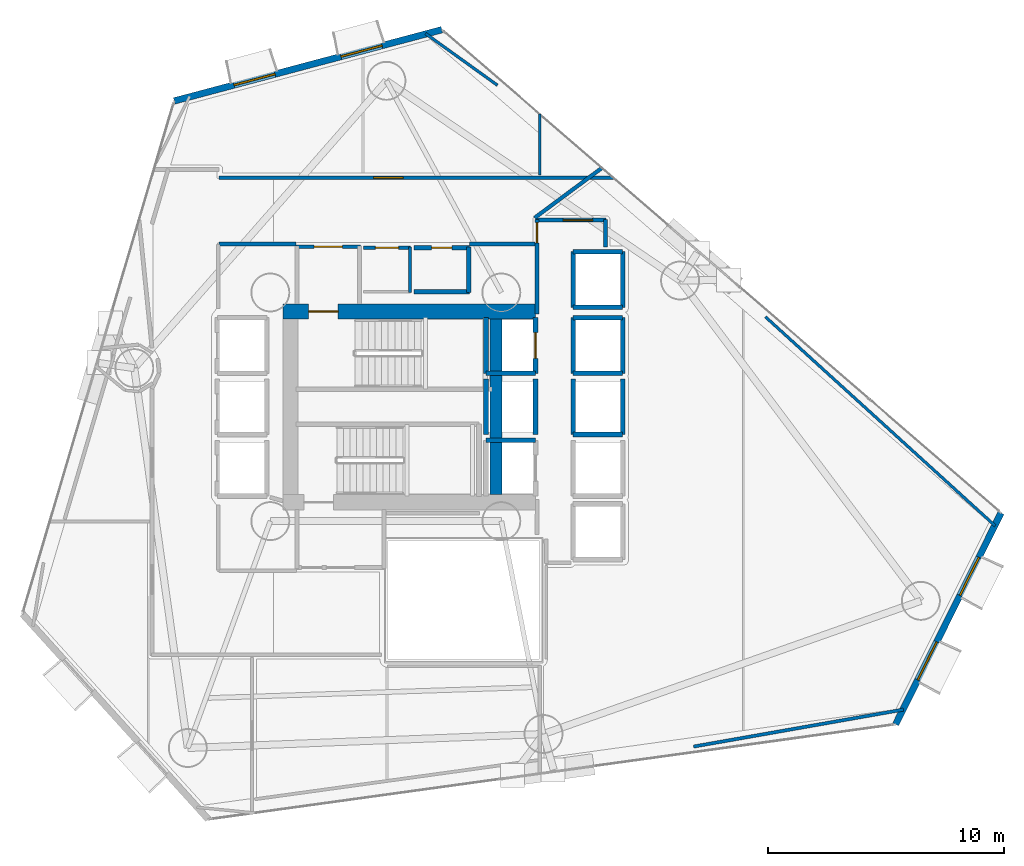
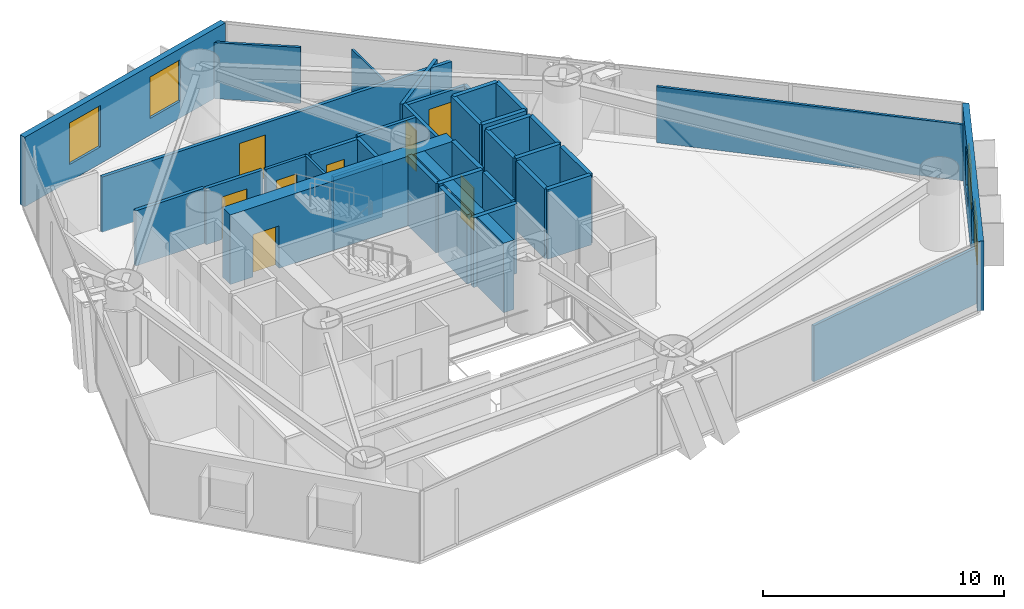
# One storey, part 18 of 23: 38 walls, 8 doors, 4 windows, 12 openings.
"""IFC4 building model written with IfcOpenShell, lengths in metres."""

from ifc_helpers import new_model, si_unit, direction, frame, frame_2d, origin, place, context, subcontext, project, spatial, rectangle, extrude, material, layer, layer_set, type_object, element, fill, save


model = new_model("IFC4")

# Units and contexts
model_context = context("Model", 3, precision=1e-05, world=origin(), true_north=direction((0.0, 1.0)))
body_context = subcontext(model_context, "Body", "Model", "MODEL_VIEW")
ifc_project = project(units=[si_unit("LENGTHUNIT", "METRE"), si_unit("AREAUNIT", "SQUARE_METRE"), si_unit("VOLUMEUNIT", "CUBIC_METRE"), si_unit("PLANEANGLEUNIT", "RADIAN"), si_unit("MASSUNIT", "GRAM", prefix="KILO")], contexts=[model_context])

# Site, building, storey
site_placement = place(None, origin())
site = spatial("IfcSite", under=ifc_project, at=site_placement, CompositionType="ELEMENT")
building_placement = place(site_placement, origin())
building = spatial("IfcBuilding", under=site, at=building_placement, Name="Qianvela Tower", CompositionType="ELEMENT")
storey_placement = place(building_placement, frame((0.0, 0.0, 74.699951171875)))
storey = spatial("IfcBuildingStorey", under=building, at=storey_placement, Name="L18", CompositionType="ELEMENT", Elevation=74.699951171875)

# Wall, openings, windows
ifc_material_1 = material(Name="Terracotta Cladding on Concrete C40", Category="masonry")
ifc_layer_1 = layer(ifc_material_1, 0.280029296875)
ifc_layer_set_1 = layer_set([ifc_layer_1], Name="Terracotta Cladding on Concrete C40")
wall_type_1 = type_object("IfcWallType", Name="TERRACOTTA-WALL-280", PredefinedType="SOLIDWALL", material=ifc_layer_set_1)
wall_1_placement = place(storey_placement, frame((55.12841796875, 15.228515625, 0.0), z_axis=(0.0, 0.0, 1.0), x_axis=(0.446228960243, 0.894918831537, 0.0)))
wall_1 = element("IfcWall", 1, at=wall_1_placement, inside=storey, type_object=wall_type_1, Name="L18 Terracotta Chamfer Facet Wall 1", PredefinedType="SOLIDWALL", context=body_context, shape_type="SweptSolid", body=[
    extrude(rectangle(XDim=10.02001953125, YDim=0.280029296875, at=frame_2d((5.010009765625, 0.0))), origin(), (0.0, 0.0, 1.0), 3.52001953125),
])
opening_1_placement = place(wall_1_placement, frame((2.10595703125, 0.0, 0.85009765625)))
opening_1 = element("IfcOpeningElement", 2, at=opening_1_placement, cuts=wall_1, Name="Opening W-01", PredefinedType="OPENING", context=body_context, shape_type="SweptSolid", body=[
    extrude(rectangle(XDim=1.800048828125, YDim=2.10009765625, at=frame_2d((0.89990234375, 1.050048828125))), frame((0.0, 0.14990234375, 0.0), z_axis=(0.0, -1.0, 0.0), x_axis=(1.0, 0.0, 0.0)), (0.0, 0.0, 1.0), 0.300048828125),
])
opening_2_placement = place(wall_1_placement, frame((6.114013671875, 0.0, 0.85009765625)))
opening_2 = element("IfcOpeningElement", 3, at=opening_2_placement, cuts=wall_1, Name="Opening W-01", PredefinedType="OPENING", context=body_context, shape_type="SweptSolid", body=[
    extrude(rectangle(XDim=1.800048828125, YDim=2.10009765625, at=frame_2d((0.89990234375, 1.050048828125))), frame((0.0, 0.14990234375, 0.0), z_axis=(0.0, -1.0, 0.0), x_axis=(1.0, 0.0, 0.0)), (0.0, 0.0, 1.0), 0.300048828125),
])
ifc_material_2 = material(Name="Thermally Broken Aluminium and Low-E Glass", Category="aluminium")
window_type = type_object("IfcWindowType", Name="WIN-TC-1800x2100", PartitioningType="DOUBLE_PANEL_VERTICAL", PredefinedType="WINDOW", material=ifc_material_2)
window_1_placement = place(opening_1_placement, origin())
window_1 = element("IfcWindow", 4, at=window_1_placement, inside=storey, type_object=window_type, Name="L18 Chamfer Facet Window 1.1", OverallHeight=2.10009765625, OverallWidth=1.800048828125, PartitioningType="SINGLE_PANEL", PredefinedType="WINDOW", context=body_context, shape_type="SweptSolid", body=[
    extrude(rectangle(XDim=1.800048828125, YDim=2.10009765625, at=frame_2d((0.89990234375, 1.050048828125))), frame((0.0, 0.030029296875, 0.0), z_axis=(0.0, -1.0, 0.0), x_axis=(1.0, 0.0, 0.0)), (0.0, 0.0, 1.0), 0.06005859375),
])
fill(opening_1, window_1)
window_2_placement = place(opening_2_placement, origin())
window_2 = element("IfcWindow", 5, at=window_2_placement, inside=storey, type_object=window_type, Name="L18 Chamfer Facet Window 1.2", OverallHeight=2.10009765625, OverallWidth=1.800048828125, PartitioningType="SINGLE_PANEL", PredefinedType="WINDOW", context=body_context, shape_type="SweptSolid", body=[
    extrude(rectangle(XDim=1.800048828125, YDim=2.10009765625, at=frame_2d((0.89990234375, 1.050048828125))), frame((0.0, 0.030029296875, 0.0), z_axis=(0.0, -1.0, 0.0), x_axis=(1.0, 0.0, 0.0)), (0.0, 0.0, 1.0), 0.06005859375),
])
fill(opening_2, window_2)

wall_2_placement = place(storey_placement, frame((35.875732421875, 44.697265625, 0.0), z_axis=(0.0, 0.0, 1.0), x_axis=(-0.966352126806, -0.257222796459, 0.0)))
wall_2 = element("IfcWall", 6, at=wall_2_placement, inside=storey, type_object=wall_type_1, Name="L18 Terracotta Chamfer Facet Wall 3", PredefinedType="SOLIDWALL", context=body_context, shape_type="SweptSolid", body=[
    extrude(rectangle(XDim=11.74658203125, YDim=0.280029296875, at=frame_2d((5.873291015625, 0.0))), origin(), (0.0, 0.0, 1.0), 3.52001953125),
])
opening_3_placement = place(wall_2_placement, frame((2.623779296875, 0.0, 0.85009765625)))
opening_3 = element("IfcOpeningElement", 7, at=opening_3_placement, cuts=wall_2, Name="Opening W-01", PredefinedType="OPENING", context=body_context, shape_type="SweptSolid", body=[
    extrude(rectangle(XDim=1.800048828125, YDim=2.10009765625, at=frame_2d((0.89990234375, 1.050048828125))), frame((0.0, 0.14990234375, 0.0), z_axis=(0.0, -1.0, 0.0), x_axis=(1.0, 0.0, 0.0)), (0.0, 0.0, 1.0), 0.300048828125),
])
opening_4_placement = place(wall_2_placement, frame((7.322509765625, 0.0, 0.85009765625)))
opening_4 = element("IfcOpeningElement", 8, at=opening_4_placement, cuts=wall_2, Name="Opening W-01", PredefinedType="OPENING", context=body_context, shape_type="SweptSolid", body=[
    extrude(rectangle(XDim=1.800048828125, YDim=2.10009765625, at=frame_2d((0.89990234375, 1.050048828125))), frame((0.0, 0.14990234375, 0.0), z_axis=(0.0, -1.0, 0.0), x_axis=(1.0, 0.0, 0.0)), (0.0, 0.0, 1.0), 0.300048828125),
])
window_3_placement = place(opening_3_placement, origin())
window_3 = element("IfcWindow", 9, at=window_3_placement, inside=storey, type_object=window_type, Name="L18 Chamfer Facet Window 3.1", OverallHeight=2.10009765625, OverallWidth=1.800048828125, PartitioningType="SINGLE_PANEL", PredefinedType="WINDOW", context=body_context, shape_type="SweptSolid", body=[
    extrude(rectangle(XDim=1.800048828125, YDim=2.10009765625, at=frame_2d((0.89990234375, 1.050048828125))), frame((0.0, 0.030029296875, 0.0), z_axis=(0.0, -1.0, 0.0), x_axis=(1.0, 0.0, 0.0)), (0.0, 0.0, 1.0), 0.06005859375),
])
fill(opening_3, window_3)
window_4_placement = place(opening_4_placement, origin())
window_4 = element("IfcWindow", 10, at=window_4_placement, inside=storey, type_object=window_type, Name="L18 Chamfer Facet Window 3.2", OverallHeight=2.10009765625, OverallWidth=1.800048828125, PartitioningType="SINGLE_PANEL", PredefinedType="WINDOW", context=body_context, shape_type="SweptSolid", body=[
    extrude(rectangle(XDim=1.800048828125, YDim=2.10009765625, at=frame_2d((0.89990234375, 1.050048828125))), frame((0.0, 0.030029296875, 0.0), z_axis=(0.0, -1.0, 0.0), x_axis=(1.0, 0.0, 0.0)), (0.0, 0.0, 1.0), 0.06005859375),
])
fill(opening_4, window_4)

# Wall, opening, door
ifc_material_3 = material(Name="Concrete C60", Category="concrete")
ifc_layer_2 = layer(ifc_material_3, 0.64990234375)
ifc_layer_set_2 = layer_set([ifc_layer_2], Name="Concrete C60")
wall_type_2 = type_object("IfcWallType", Name="WT-CORE-650", PredefinedType="SHEAR", material=ifc_layer_set_2)
wall_3_placement = place(storey_placement, frame((29.1298828125, 32.7451171875, 0.0), z_axis=(0.0, 0.0, 1.0), x_axis=(1.0, 0.0, 0.0)))
wall_3 = element("IfcWall", 11, at=wall_3_placement, inside=storey, type_object=wall_type_2, Name="L18 North Core Shear Wall", PredefinedType="SHEAR", context=body_context, shape_type="SweptSolid", body=[
    extrude(rectangle(XDim=10.72021484375, YDim=0.64990234375, at=frame_2d((5.360107421875, 0.0))), origin(), (0.0, 0.0, 1.0), 3.52001953125),
])
opening_5_placement = place(wall_3_placement, frame((1.094970703125, 0.0, 0.0)))
opening_5 = element("IfcOpeningElement", 12, at=opening_5_placement, cuts=wall_3, Name="Opening D-ST1", PredefinedType="OPENING", context=body_context, shape_type="SweptSolid", body=[
    extrude(rectangle(XDim=1.25, YDim=2.14990234375, at=frame_2d((0.625, 1.074951171875))), frame((0.0, 0.3349609375, 0.0), z_axis=(0.0, -1.0, 0.0), x_axis=(1.0, 0.0, 0.0)), (0.0, 0.0, 1.0), 0.669921875),
])
ifc_material_4 = material(Name="Galvanised Fire Steel Q355B", Category="steel")
door_type_1 = type_object("IfcDoorType", Name="DT-STAIR-FD90", OperationType="NOTDEFINED", PredefinedType="DOOR", material=ifc_material_4)
door_1_placement = place(opening_5_placement, origin())
door_1 = element("IfcDoor", 13, at=door_1_placement, inside=storey, type_object=door_type_1, Name="L18 Stair ST-1 Exit Door", OperationType="SINGLE_SWING_RIGHT", OverallHeight=2.14990234375, OverallWidth=1.25, PredefinedType="DOOR", context=body_context, shape_type="SweptSolid", body=[
    extrude(rectangle(XDim=1.25, YDim=2.14990234375, at=frame_2d((0.625, 1.074951171875))), frame((0.0, 0.02490234375, 0.0), z_axis=(0.0, -1.0, 0.0), x_axis=(1.0, 0.0, 0.0)), (0.0, 0.0, 1.0), 0.050048828125),
])
fill(opening_5, door_1)

# Wall
wall_4_placement = place(storey_placement, frame((38.179931640625, 24.97998046875, 0.0), z_axis=(0.0, 0.0, 1.0), x_axis=(0.0, 1.0, 0.0)))
element("IfcWall", 14, at=wall_4_placement, inside=storey, type_object=wall_type_2, Name="L18 East Spine Core Shear Wall", PredefinedType="SHEAR", context=body_context, shape_type="SweptSolid", body=[
    extrude(rectangle(XDim=7.43994140625, YDim=0.5, at=frame_2d((3.719970703125, 0.0))), origin(), (0.0, 0.0, 1.0), 3.52001953125),
])

# Wall, opening, door
ifc_material_5 = material(Name="Fire-Rated Gypsum and Concrete Block", Category="concrete")
ifc_layer_3 = layer(ifc_material_5, 0.159912109375)
ifc_layer_set_3 = layer_set([ifc_layer_3], Name="Fire-Rated Gypsum and Concrete Block")
wall_type_3 = type_object("IfcWallType", Name="WT-CORR-160", PredefinedType="PARTITIONING", material=ifc_layer_set_3)
wall_5_placement = place(storey_placement, frame((29.699951171875, 35.489013671875, 0.0), z_axis=(0.0, 0.0, 1.0), x_axis=(1.0, 0.0, 0.0)))
wall_5 = element("IfcWall", 15, at=wall_5_placement, inside=storey, type_object=wall_type_3, Name="L18 Partition 3", PredefinedType="PARTITIONING", context=body_context, shape_type="SweptSolid", body=[
    extrude(rectangle(XDim=2.719970703125, YDim=0.159912109375, at=frame_2d((1.35986328125, 0.0))), origin(), (0.0, 0.0, 1.0), 2.840087890625),
])
opening_6_placement = place(wall_5_placement, frame((0.760009765625, 0.0, 0.0)))
opening_6 = element("IfcOpeningElement", 16, at=opening_6_placement, cuts=wall_5, Name="Opening D-LB1", PredefinedType="OPENING", context=body_context, shape_type="SweptSolid", body=[
    extrude(rectangle(XDim=1.199951171875, YDim=2.14990234375, at=frame_2d((0.60009765625, 1.074951171875))), frame((0.0, 0.08984375, 0.0), z_axis=(0.0, -1.0, 0.0), x_axis=(1.0, 0.0, 0.0)), (0.0, 0.0, 1.0), 0.179931640625),
])
ifc_material_6 = material(Name="Glazed Fire-Rated Steel Frame", Category="steel")
door_type_2 = type_object("IfcDoorType", Name="DT-LOBBY-FD90", OperationType="NOTDEFINED", PredefinedType="DOOR", material=ifc_material_6)
door_2_placement = place(opening_6_placement, origin())
door_2 = element("IfcDoor", 17, at=door_2_placement, inside=storey, type_object=door_type_2, Name="L18 Door L18 Firefighting Lobby North to L18 Floor Corridor", OperationType="SINGLE_SWING_RIGHT", OverallHeight=2.14990234375, OverallWidth=1.199951171875, PredefinedType="DOOR", context=body_context, shape_type="SweptSolid", body=[
    extrude(rectangle(XDim=1.199951171875, YDim=2.14990234375, at=frame_2d((0.60009765625, 1.074951171875))), frame((0.0, 0.02490234375, 0.0), z_axis=(0.0, -1.0, 0.0), x_axis=(1.0, 0.0, 0.0)), (0.0, 0.0, 1.0), 0.050048828125),
])
fill(opening_6, door_2)

wall_6_placement = place(storey_placement, frame((39.910888671875, 32.639892578125, 0.0), z_axis=(0.0, 0.0, 1.0), x_axis=(0.0, 1.0, 0.0)))
wall_6 = element("IfcWall", 18, at=wall_6_placement, inside=storey, type_object=wall_type_3, Name="L18 Partition 10", PredefinedType="PARTITIONING", context=body_context, shape_type="SweptSolid", body=[
    extrude(rectangle(XDim=4.010009765625, YDim=0.159912109375, at=frame_2d((2.0048828125, 0.0))), origin(), (0.0, 0.0, 1.0), 2.840087890625),
])
opening_7_placement = place(wall_6_placement, frame((3.010009765625, 0.0, 0.0)))
opening_7 = element("IfcOpeningElement", 19, at=opening_7_placement, cuts=wall_6, Name="Opening D-LB2", PredefinedType="OPENING", context=body_context, shape_type="SweptSolid", body=[
    extrude(rectangle(XDim=0.860107421875, YDim=2.050048828125, at=frame_2d((0.43017578125, 1.02490234375))), frame((0.0, 0.08984375, 0.0), z_axis=(0.0, -1.0, 0.0), x_axis=(1.0, 0.0, 0.0)), (0.0, 0.0, 1.0), 0.179931640625),
])
ifc_material_7 = material(Name="Insulated Steel Fire Door Q355B", Category="steel")
door_type_3 = type_object("IfcDoorType", Name="DT-LOBBY-FD90-860", OperationType="NOTDEFINED", PredefinedType="DOOR", material=ifc_material_7)
door_3_placement = place(opening_7_placement, origin())
door_3 = element("IfcDoor", 20, at=door_3_placement, inside=storey, type_object=door_type_3, Name="L18 Door L18 Lift Lobby to L18 Floor Corridor", OperationType="SINGLE_SWING_RIGHT", OverallHeight=2.050048828125, OverallWidth=0.860107421875, PredefinedType="DOOR", context=body_context, shape_type="SweptSolid", body=[
    extrude(rectangle(XDim=0.860107421875, YDim=2.050048828125, at=frame_2d((0.43017578125, 1.02490234375))), frame((0.0, 0.02490234375, 0.0), z_axis=(0.0, -1.0, 0.0), x_axis=(1.0, 0.0, 0.0)), (0.0, 0.0, 1.0), 0.050048828125),
])
fill(opening_7, door_3)

wall_7_placement = place(storey_placement, frame((39.8798828125, 36.618896484375, 0.0), z_axis=(0.0, 0.0, 1.0), x_axis=(1.0, 0.0, 0.0)))
wall_7 = element("IfcWall", 21, at=wall_7_placement, inside=storey, type_object=wall_type_3, Name="L18 Partition 11", PredefinedType="PARTITIONING", context=body_context, shape_type="SweptSolid", body=[
    extrude(rectangle(XDim=2.97021484375, YDim=0.159912109375, at=frame_2d((1.485107421875, 0.0))), origin(), (0.0, 0.0, 1.0), 2.798095703125),
])
opening_8_placement = place(wall_7_placement, frame((1.139892578125, 0.0, 0.0)))
opening_8 = element("IfcOpeningElement", 22, at=opening_8_placement, cuts=wall_7, Name="Opening D-LG1", PredefinedType="OPENING", context=body_context, shape_type="SweptSolid", body=[
    extrude(rectangle(XDim=1.25, YDim=2.199951171875, at=frame_2d((0.625, 1.10009765625))), frame((0.0, 0.08984375, 0.0), z_axis=(0.0, -1.0, 0.0), x_axis=(1.0, 0.0, 0.0)), (0.0, 0.0, 1.0), 0.179931640625),
])
ifc_material_8 = material(Name="Anodised Aluminium Acoustic Glass Door", Category="aluminium")
door_type_4 = type_object("IfcDoorType", Name="DT-LOUNGE-1250", OperationType="NOTDEFINED", PredefinedType="DOOR", material=ifc_material_8)
door_4_placement = place(opening_8_placement, origin())
door_4 = element("IfcDoor", 23, at=door_4_placement, inside=storey, type_object=door_type_4, Name="L18 Door Debate Lecture Classroom L18-03 to L18 Lift Lobby", OperationType="SINGLE_SWING_RIGHT", OverallHeight=2.199951171875, OverallWidth=1.25, PredefinedType="DOOR", context=body_context, shape_type="SweptSolid", body=[
    extrude(rectangle(XDim=1.25, YDim=2.199951171875, at=frame_2d((0.625, 1.10009765625))), frame((0.0, 0.02490234375, 0.0), z_axis=(0.0, -1.0, 0.0), x_axis=(1.0, 0.0, 0.0)), (0.0, 0.0, 1.0), 0.050048828125),
])
fill(opening_8, door_4)

# Wall
wall_8_placement = place(storey_placement, frame((42.819091796875, 36.64990234375, 0.0), z_axis=(0.0, 0.0, 1.0), x_axis=(0.0, -1.0, 0.0)))
element("IfcWall", 24, at=wall_8_placement, inside=storey, type_object=wall_type_3, Name="L18 Partition 12", PredefinedType="PARTITIONING", context=body_context, shape_type="SweptSolid", body=[
    extrude(rectangle(XDim=1.169921875, YDim=0.159912109375, at=frame_2d((0.5849609375, 0.0))), origin(), (0.0, 0.0, 1.0), 2.798095703125),
])

# Wall, opening, door
wall_9_placement = place(storey_placement, frame((26.419921875, 38.4189453125, 0.0), z_axis=(0.0, 0.0, 1.0), x_axis=(1.0, 0.0, 0.0)))
wall_9 = element("IfcWall", 25, at=wall_9_placement, inside=storey, type_object=wall_type_3, Name="L18 Partition 42", PredefinedType="PARTITIONING", context=body_context, shape_type="SweptSolid", body=[
    extrude(rectangle(XDim=16.74072265625, YDim=0.159912109375, at=frame_2d((8.370361328125, 0.0))), origin(), (0.0, 0.0, 1.0), 2.798095703125),
])
opening_9_placement = place(wall_9_placement, frame((6.564453125, 0.0, 0.0)))
opening_9 = element("IfcOpeningElement", 26, at=opening_9_placement, cuts=wall_9, Name="Opening D-LG1", PredefinedType="OPENING", context=body_context, shape_type="SweptSolid", body=[
    extrude(rectangle(XDim=1.25, YDim=2.199951171875, at=frame_2d((0.625, 1.10009765625))), frame((0.0, 0.08984375, 0.0), z_axis=(0.0, -1.0, 0.0), x_axis=(1.0, 0.0, 0.0)), (0.0, 0.0, 1.0), 0.179931640625),
])
door_5_placement = place(opening_9_placement, origin())
door_5 = element("IfcDoor", 27, at=door_5_placement, inside=storey, type_object=door_type_4, Name="L18 Door Social Sitting Lounge L18-04 to L18 Floor Corridor", OperationType="SINGLE_SWING_LEFT", OverallHeight=2.199951171875, OverallWidth=1.25, PredefinedType="DOOR", context=body_context, shape_type="SweptSolid", body=[
    extrude(rectangle(XDim=1.25, YDim=2.199951171875, at=frame_2d((0.625, 1.10009765625))), frame((0.0, 0.02490234375, 0.0), z_axis=(0.0, -1.0, 0.0), x_axis=(1.0, 0.0, 0.0)), (0.0, 0.0, 1.0), 0.050048828125),
])
fill(opening_9, door_5)

# Walls
wall_10_placement = place(storey_placement, frame((42.68017578125, 38.843017578125, 0.0), z_axis=(0.0, 0.0, 1.0), x_axis=(-0.80280556572, -0.596240910747, 0.0)))
element("IfcWall", 28, at=wall_10_placement, inside=storey, type_object=wall_type_3, Name="L18 Partition 43", PredefinedType="PARTITIONING", context=body_context, shape_type="SweptSolid", body=[
    extrude(rectangle(XDim=3.570556640625, YDim=0.159912109375, at=frame_2d((1.78515625, 0.0))), origin(), (0.0, 0.0, 1.0), 2.798095703125),
])
wall_11_placement = place(storey_placement, frame((39.818115234375, 35.611083984375, 0.0), z_axis=(0.0, 0.0, 1.0), x_axis=(-1.0, 0.0, 0.0)))
element("IfcWall", 29, at=wall_11_placement, inside=storey, type_object=wall_type_3, Name="L18 Partition 45 seg 1", PredefinedType="PARTITIONING", context=body_context, shape_type="SweptSolid", body=[
    extrude(rectangle(XDim=2.76806640625, YDim=0.159912109375, at=frame_2d((1.384033203125, 0.0))), origin(), (0.0, 0.0, 1.0), 2.840087890625),
])
wall_12_placement = place(storey_placement, frame((29.699951171875, 35.611083984375, 0.0), z_axis=(0.0, 0.0, 1.0), x_axis=(-1.0, 0.0, 0.0)))
element("IfcWall", 30, at=wall_12_placement, inside=storey, type_object=wall_type_3, Name="L18 Partition 45 seg 4", PredefinedType="PARTITIONING", context=body_context, shape_type="SweptSolid", body=[
    extrude(rectangle(XDim=3.280029296875, YDim=0.159912109375, at=frame_2d((1.64013671875, 0.0))), origin(), (0.0, 0.0, 1.0), 2.798095703125),
])
ifc_material_9 = material(Name="Lightweight Gypsum Room Partition")
ifc_layer_4 = layer(ifc_material_9, 0.10498046875)
ifc_layer_set_4 = layer_set([ifc_layer_4], Name="Lightweight Gypsum Room Partition")
wall_type_4 = type_object("IfcWallType", Name="WT-PART-105", PredefinedType="PARTITIONING", material=ifc_layer_set_4)
wall_13_placement = place(storey_placement, frame((40.027099609375, 41.1298828125, 0.0), z_axis=(0.0, 0.0, 1.0), x_axis=(0.0, -1.0, 0.0)))
element("IfcWall", 31, at=wall_13_placement, inside=storey, type_object=wall_type_4, Name="L18 Partition 82", PredefinedType="PARTITIONING", context=body_context, shape_type="SweptSolid", body=[
    extrude(rectangle(XDim=2.599853515625, YDim=0.10498046875, at=frame_2d((1.2998046875, 0.0))), origin(), (0.0, 0.0, 1.0), 2.840087890625),
])
ifc_material_10 = material(Name="Insulated Gypsum Stud Partition")
ifc_layer_5 = layer(ifc_material_10, 0.1201171875)
ifc_layer_set_5 = layer_set([ifc_layer_5], Name="Insulated Gypsum Stud Partition")
wall_type_5 = type_object("IfcWallType", Name="WT-PART-120", PredefinedType="PARTITIONING", material=ifc_layer_set_5)
wall_14_placement = place(storey_placement, frame((34.51904296875, 35.47998046875, 0.0), z_axis=(0.0, 0.0, 1.0), x_axis=(0.0, -1.0, 0.0)))
element("IfcWall", 32, at=wall_14_placement, inside=storey, type_object=wall_type_5, Name="L18 Partition 21", PredefinedType="PARTITIONING", context=body_context, shape_type="SweptSolid", body=[
    extrude(rectangle(XDim=1.929931640625, YDim=0.1201171875, at=frame_2d((0.96484375, 0.0))), origin(), (0.0, 0.0, 1.0), 2.840087890625),
])
wall_15_placement = place(storey_placement, frame((49.6025390625, 32.517578125, 0.0), z_axis=(0.0, 0.0, 1.0), x_axis=(0.73970528654, -0.672930969019, 0.0)))
element("IfcWall", 33, at=wall_15_placement, inside=storey, type_object=wall_type_5, Name="L18 Partition 69 seg 3", PredefinedType="PARTITIONING", context=body_context, shape_type="SweptSolid", body=[
    extrude(rectangle(XDim=13.177001953125, YDim=0.1201171875, at=frame_2d((6.58837890625, 0.0))), origin(), (0.0, 0.0, 1.0), 2.840087890625),
])
wall_16_placement = place(storey_placement, frame((35.18701171875, 44.531005859375, 0.0), z_axis=(0.0, 0.0, 1.0), x_axis=(0.812091442734, -0.583530195139, 0.0)))
element("IfcWall", 34, at=wall_16_placement, inside=storey, type_object=wall_type_5, Name="L18 Partition 87 seg 1", PredefinedType="PARTITIONING", context=body_context, shape_type="SweptSolid", body=[
    extrude(rectangle(XDim=3.754638671875, YDim=0.1201171875, at=frame_2d((1.87744140625, 0.0))), origin(), (0.0, 0.0, 1.0), 2.840087890625),
])
ifc_material_11 = material(Name="Moisture-Resistant Acoustic Plumbing Wall")
ifc_layer_6 = layer(ifc_material_11, 0.175048828125)
ifc_layer_set_6 = layer_set([ifc_layer_6], Name="Moisture-Resistant Acoustic Plumbing Wall")
wall_type_6 = type_object("IfcWallType", Name="WT-PLUMB-175", PredefinedType="PLUMBINGWALL", material=ifc_layer_set_6)
wall_17_placement = place(storey_placement, frame((37.050048828125, 33.5810546875, 0.0), z_axis=(0.0, 0.0, 1.0), x_axis=(-1.0, 0.0, 0.0)))
element("IfcWall", 35, at=wall_17_placement, inside=storey, type_object=wall_type_6, Name="L18 Partition 22", PredefinedType="PLUMBINGWALL", context=body_context, shape_type="SweptSolid", body=[
    extrude(rectangle(XDim=2.35009765625, YDim=0.175048828125, at=frame_2d((1.175048828125, 0.0))), origin(), (0.0, 0.0, 1.0), 2.840087890625),
])

# Wall, opening, door
wall_18_placement = place(storey_placement, frame((34.699951171875, 35.448974609375, 0.0), z_axis=(0.0, 0.0, 1.0), x_axis=(1.0, 0.0, 0.0)))
wall_18 = element("IfcWall", 36, at=wall_18_placement, inside=storey, type_object=wall_type_6, Name="L18 Partition 24", PredefinedType="PLUMBINGWALL", context=body_context, shape_type="SweptSolid", body=[
    extrude(rectangle(XDim=2.35009765625, YDim=0.175048828125, at=frame_2d((1.175048828125, 0.0))), origin(), (0.0, 0.0, 1.0), 2.840087890625),
])
opening_10_placement = place(wall_18_placement, frame((0.7451171875, 0.0, 0.0)))
opening_10 = element("IfcOpeningElement", 37, at=opening_10_placement, cuts=wall_18, Name="Opening D-WC1", PredefinedType="OPENING", context=body_context, shape_type="SweptSolid", body=[
    extrude(rectangle(XDim=0.860107421875, YDim=2.050048828125, at=frame_2d((0.43017578125, 1.02490234375))), frame((0.0, 0.097412109375, 0.0), z_axis=(0.0, -1.0, 0.0), x_axis=(1.0, 0.0, 0.0)), (0.0, 0.0, 1.0), 0.195068359375),
])
ifc_material_12 = material(Name="Moisture-Sealed Acoustic Timber Door", Category="wood")
door_type_5 = type_object("IfcDoorType", Name="DT-WC-860", OperationType="NOTDEFINED", PredefinedType="DOOR", material=ifc_material_12)
door_6_placement = place(opening_10_placement, origin())
door_6 = element("IfcDoor", 38, at=door_6_placement, inside=storey, type_object=door_type_5, Name="L18 Door L18 Accessible WC to L18 Floor Corridor", OperationType="SINGLE_SWING_RIGHT", OverallHeight=2.050048828125, OverallWidth=0.860107421875, PredefinedType="DOOR", context=body_context, shape_type="SweptSolid", body=[
    extrude(rectangle(XDim=0.860107421875, YDim=2.050048828125, at=frame_2d((0.43017578125, 1.02490234375))), frame((0.0, 0.02490234375, 0.0), z_axis=(0.0, -1.0, 0.0), x_axis=(1.0, 0.0, 0.0)), (0.0, 0.0, 1.0), 0.050048828125),
])
fill(opening_10, door_6)

# Wall
wall_19_placement = place(storey_placement, frame((37.01904296875, 35.47998046875, 0.0), z_axis=(0.0, 0.0, 1.0), x_axis=(0.0, -1.0, 0.0)))
element("IfcWall", 39, at=wall_19_placement, inside=storey, type_object=wall_type_6, Name="L18 Partition 25", PredefinedType="PLUMBINGWALL", context=body_context, shape_type="SweptSolid", body=[
    extrude(rectangle(XDim=1.929931640625, YDim=0.175048828125, at=frame_2d((0.96484375, 0.0))), origin(), (0.0, 0.0, 1.0), 2.840087890625),
])

# Wall, opening, door
ifc_material_13 = material(Name="Acoustic Double Gypsum Stud Partition")
ifc_layer_7 = layer(ifc_material_13, 0.139892578125)
ifc_layer_set_7 = layer_set([ifc_layer_7], Name="Acoustic Double Gypsum Stud Partition")
wall_type_7 = type_object("IfcWallType", Name="WT-ROOM-140", PredefinedType="PARTITIONING", material=ifc_layer_set_7)
wall_20_placement = place(storey_placement, frame((32.550048828125, 35.448974609375, 0.0), z_axis=(0.0, 0.0, 1.0), x_axis=(1.0, 0.0, 0.0)))
wall_20 = element("IfcWall", 40, at=wall_20_placement, inside=storey, type_object=wall_type_7, Name="L18 Partition 20", PredefinedType="PARTITIONING", context=body_context, shape_type="SweptSolid", body=[
    extrude(rectangle(XDim=2.0, YDim=0.139892578125, at=frame_2d((1.0, 0.0))), origin(), (0.0, 0.0, 1.0), 2.840087890625),
])
opening_11_placement = place(wall_20_placement, frame((0.510009765625, 0.0, 0.0)))
opening_11 = element("IfcOpeningElement", 41, at=opening_11_placement, cuts=wall_20, Name="Opening D-RM1", PredefinedType="OPENING", context=body_context, shape_type="SweptSolid", body=[
    extrude(rectangle(XDim=0.97998046875, YDim=2.10009765625, at=frame_2d((0.489990234375, 1.050048828125))), frame((0.0, 0.079833984375, 0.0), z_axis=(0.0, -1.0, 0.0), x_axis=(1.0, 0.0, 0.0)), (0.0, 0.0, 1.0), 0.159912109375),
])
ifc_material_14 = material(Name="Solid Core Acoustic Timber Fire Door", Category="wood")
door_type_6 = type_object("IfcDoorType", Name="DT-ROOM-FD60", OperationType="NOTDEFINED", PredefinedType="DOOR", material=ifc_material_14)
door_7_placement = place(opening_11_placement, origin())
door_7 = element("IfcDoor", 42, at=door_7_placement, inside=storey, type_object=door_type_6, Name="L18 Door L18 Cleaner Store to L18 Floor Corridor", OperationType="SINGLE_SWING_LEFT", OverallHeight=2.10009765625, OverallWidth=0.97998046875, PredefinedType="DOOR", context=body_context, shape_type="SweptSolid", body=[
    extrude(rectangle(XDim=0.97998046875, YDim=2.10009765625, at=frame_2d((0.489990234375, 1.050048828125))), frame((0.0, 0.02490234375, 0.0), z_axis=(0.0, -1.0, 0.0), x_axis=(1.0, 0.0, 0.0)), (0.0, 0.0, 1.0), 0.050048828125),
])
fill(opening_11, door_7)

# Wall
wall_21_placement = place(storey_placement, frame((55.45947265625, 15.855712890625, 0.0), z_axis=(0.0, 0.0, 1.0), x_axis=(-0.984799051182, -0.17369752097, 0.0)))
element("IfcWall", 43, at=wall_21_placement, inside=storey, type_object=wall_type_7, Name="L18 Partition 71 seg 1", PredefinedType="PARTITIONING", context=body_context, shape_type="SweptSolid", body=[
    extrude(rectangle(XDim=9.04052734375, YDim=0.139892578125, at=frame_2d((4.520263671875, 0.0))), origin(), (0.0, 0.0, 1.0), 2.840087890625),
])

# Wall, opening, door
ifc_material_15 = material(Name="Concrete C50", Category="concrete")
ifc_layer_8 = layer(ifc_material_15, 0.199951171875)
ifc_layer_set_8 = layer_set([ifc_layer_8], Name="Concrete C50")
wall_type_8 = type_object("IfcWallType", Name="WT-SHAFT-200", PredefinedType="SOLIDWALL", material=ifc_layer_set_8)
wall_22_placement = place(storey_placement, frame((39.85009765625, 30.1201171875, 0.0), z_axis=(0.0, 0.0, 1.0), x_axis=(0.0, 1.0, 0.0)))
wall_22 = element("IfcWall", 44, at=wall_22_placement, inside=storey, type_object=wall_type_8, Name="L18 Lift FL-1 E Shaft Wall", PredefinedType="SOLIDWALL", context=body_context, shape_type="SweptSolid", body=[
    extrude(rectangle(XDim=2.35986328125, YDim=0.199951171875, at=frame_2d((1.179931640625, 0.0))), origin(), (0.0, 0.0, 1.0), 3.52001953125),
])
opening_12_placement = place(wall_22_placement, frame((0.6298828125, 0.0, 0.0)))
opening_12 = element("IfcOpeningElement", 45, at=opening_12_placement, cuts=wall_22, Name="Opening LD-01", PredefinedType="OPENING", context=body_context, shape_type="SweptSolid", body=[
    extrude(rectangle(XDim=1.10009765625, YDim=2.14990234375, at=frame_2d((0.550048828125, 1.074951171875))), frame((0.0, 0.10986328125, 0.0), z_axis=(0.0, -1.0, 0.0), x_axis=(1.0, 0.0, 0.0)), (0.0, 0.0, 1.0), 0.219970703125),
])
ifc_material_16 = material(Name="Brushed Stainless Steel Lift Landing Door", Category="steel")
door_type_7 = type_object("IfcDoorType", Name="DT-LIFT-SLIDE-1100", OperationType="SLIDING_TO_LEFT", PredefinedType="DOOR", material=ifc_material_16)
door_8_placement = place(opening_12_placement, origin())
door_8 = element("IfcDoor", 46, at=door_8_placement, inside=storey, type_object=door_type_7, Name="L18 Lift FL-1 Sliding Landing Door", OperationType="SLIDING_TO_LEFT", OverallHeight=2.14990234375, OverallWidth=1.10009765625, PredefinedType="DOOR", context=body_context, shape_type="SweptSolid", body=[
    extrude(rectangle(XDim=1.10009765625, YDim=2.14990234375, at=frame_2d((0.550048828125, 1.074951171875))), frame((0.0, 0.02490234375, 0.0), z_axis=(0.0, -1.0, 0.0), x_axis=(1.0, 0.0, 0.0)), (0.0, 0.0, 1.0), 0.050048828125),
])
fill(opening_12, door_8)

# Walls
wall_23_placement = place(storey_placement, frame((37.75, 30.1201171875, 0.0), z_axis=(0.0, 0.0, 1.0), x_axis=(0.0, 1.0, 0.0)))
element("IfcWall", 47, at=wall_23_placement, inside=storey, type_object=wall_type_8, Name="L18 Lift FL-1 W Shaft Wall", PredefinedType="SOLIDWALL", context=body_context, shape_type="SweptSolid", body=[
    extrude(rectangle(XDim=2.35986328125, YDim=0.199951171875, at=frame_2d((1.179931640625, 0.0))), origin(), (0.0, 0.0, 1.0), 3.52001953125),
])
for number, where, z_axis, x_axis, name in (
    (48, (37.75, 30.1201171875, 0.0), (0.0, 0.0, 1.0), (1.0, 0.0, 0.0), "L18 Lift FL-1 S Shaft Wall"),
    (49, (37.75, 27.280029296875, 0.0), (0.0, 0.0, 1.0), (1.0, 0.0, 0.0), "L18 Lift FL-2 N Shaft Wall"),
):
    element("IfcWall", number, at=place(storey_placement, frame(where, z_axis=z_axis, x_axis=x_axis)), inside=storey, type_object=wall_type_8, Name=name, PredefinedType="SOLIDWALL", context=body_context, shape_type="SweptSolid", body=[
        extrude(rectangle(XDim=2.10009765625, YDim=0.199951171875, at=frame_2d((1.050048828125, 0.0))), origin(), (0.0, 0.0, 1.0), 3.52001953125),
    ])
for number, where, z_axis, x_axis, name in (
    (50, (43.550048828125, 30.1201171875, 0.0), (0.0, 0.0, 1.0), (0.0, 1.0, 0.0), "L18 Lift PL-M1 E Shaft Wall"),
    (51, (41.449951171875, 30.1201171875, 0.0), (0.0, 0.0, 1.0), (0.0, 1.0, 0.0), "L18 Lift PL-M1 W Shaft Wall"),
):
    element("IfcWall", number, at=place(storey_placement, frame(where, z_axis=z_axis, x_axis=x_axis)), inside=storey, type_object=wall_type_8, Name=name, PredefinedType="SOLIDWALL", context=body_context, shape_type="SweptSolid", body=[
        extrude(rectangle(XDim=2.35986328125, YDim=0.199951171875, at=frame_2d((1.179931640625, 0.0))), origin(), (0.0, 0.0, 1.0), 3.52001953125),
    ])
for number, where, z_axis, x_axis, name in (
    (52, (41.449951171875, 32.47998046875, 0.0), (0.0, 0.0, 1.0), (1.0, 0.0, 0.0), "L18 Lift PL-M1 N Shaft Wall"),
    (53, (41.449951171875, 30.1201171875, 0.0), (0.0, 0.0, 1.0), (1.0, 0.0, 0.0), "L18 Lift PL-M1 S Shaft Wall"),
):
    element("IfcWall", number, at=place(storey_placement, frame(where, z_axis=z_axis, x_axis=x_axis)), inside=storey, type_object=wall_type_8, Name=name, PredefinedType="SOLIDWALL", context=body_context, shape_type="SweptSolid", body=[
        extrude(rectangle(XDim=2.10009765625, YDim=0.199951171875, at=frame_2d((1.050048828125, 0.0))), origin(), (0.0, 0.0, 1.0), 3.52001953125),
    ])
for number, where, z_axis, x_axis, name in (
    (54, (43.550048828125, 27.52001953125, 0.0), (0.0, 0.0, 1.0), (0.0, 1.0, 0.0), "L18 Lift PL-M2 E Shaft Wall"),
    (55, (41.449951171875, 27.52001953125, 0.0), (0.0, 0.0, 1.0), (0.0, 1.0, 0.0), "L18 Lift PL-M2 W Shaft Wall"),
):
    element("IfcWall", number, at=place(storey_placement, frame(where, z_axis=z_axis, x_axis=x_axis)), inside=storey, type_object=wall_type_8, Name=name, PredefinedType="SOLIDWALL", context=body_context, shape_type="SweptSolid", body=[
        extrude(rectangle(XDim=2.35986328125, YDim=0.199951171875, at=frame_2d((1.179931640625, 0.0))), origin(), (0.0, 0.0, 1.0), 3.52001953125),
    ])
wall_24_placement = place(storey_placement, frame((41.449951171875, 27.52001953125, 0.0), z_axis=(0.0, 0.0, 1.0), x_axis=(1.0, 0.0, 0.0)))
element("IfcWall", 56, at=wall_24_placement, inside=storey, type_object=wall_type_8, Name="L18 Lift PL-M2 S Shaft Wall", PredefinedType="SOLIDWALL", context=body_context, shape_type="SweptSolid", body=[
    extrude(rectangle(XDim=2.10009765625, YDim=0.199951171875, at=frame_2d((1.050048828125, 0.0))), origin(), (0.0, 0.0, 1.0), 3.52001953125),
])
for number, where, z_axis, x_axis, name in (
    (57, (39.85009765625, 27.52001953125, 0.0), (0.0, 0.0, 1.0), (0.0, 1.0, 0.0), "L18 Lift PL-H1 E Shaft Wall"),
    (58, (37.75, 27.52001953125, 0.0), (0.0, 0.0, 1.0), (0.0, 1.0, 0.0), "L18 Lift PL-H1 W Shaft Wall"),
):
    element("IfcWall", number, at=place(storey_placement, frame(where, z_axis=z_axis, x_axis=x_axis)), inside=storey, type_object=wall_type_8, Name=name, PredefinedType="SOLIDWALL", context=body_context, shape_type="SweptSolid", body=[
        extrude(rectangle(XDim=2.35986328125, YDim=0.199951171875, at=frame_2d((1.179931640625, 0.0))), origin(), (0.0, 0.0, 1.0), 3.52001953125),
    ])
for number, where, z_axis, x_axis, name in (
    (59, (43.550048828125, 32.919921875, 0.0), (0.0, 0.0, 1.0), (0.0, 1.0, 0.0), "L18 Lift PL-H3 E Shaft Wall"),
    (60, (41.449951171875, 32.919921875, 0.0), (0.0, 0.0, 1.0), (0.0, 1.0, 0.0), "L18 Lift PL-H3 W Shaft Wall"),
):
    element("IfcWall", number, at=place(storey_placement, frame(where, z_axis=z_axis, x_axis=x_axis)), inside=storey, type_object=wall_type_8, Name=name, PredefinedType="SOLIDWALL", context=body_context, shape_type="SweptSolid", body=[
        extrude(rectangle(XDim=2.360107421875, YDim=0.199951171875, at=frame_2d((1.18017578125, 0.0))), origin(), (0.0, 0.0, 1.0), 3.52001953125),
    ])
for number, where, z_axis, x_axis, name in (
    (61, (41.449951171875, 35.280029296875, 0.0), (0.0, 0.0, 1.0), (1.0, 0.0, 0.0), "L18 Lift PL-H3 N Shaft Wall"),
    (62, (41.449951171875, 32.919921875, 0.0), (0.0, 0.0, 1.0), (1.0, 0.0, 0.0), "L18 Lift PL-H3 S Shaft Wall"),
):
    element("IfcWall", number, at=place(storey_placement, frame(where, z_axis=z_axis, x_axis=x_axis)), inside=storey, type_object=wall_type_8, Name=name, PredefinedType="SOLIDWALL", context=body_context, shape_type="SweptSolid", body=[
        extrude(rectangle(XDim=2.10009765625, YDim=0.199951171875, at=frame_2d((1.050048828125, 0.0))), origin(), (0.0, 0.0, 1.0), 3.52001953125),
    ])

save(model, "model.ifc")
